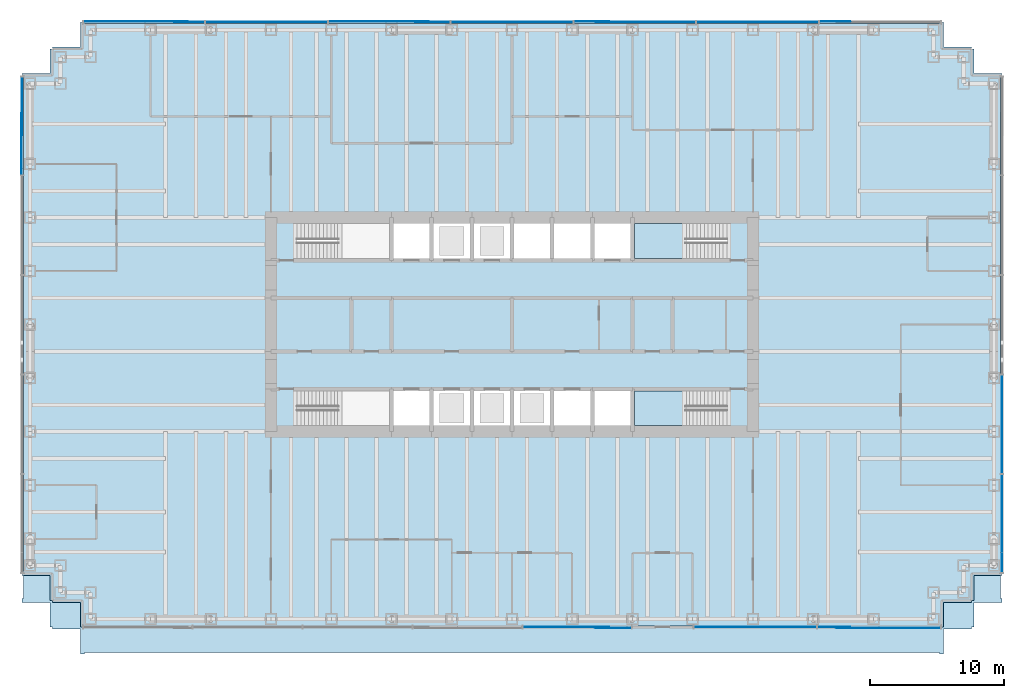
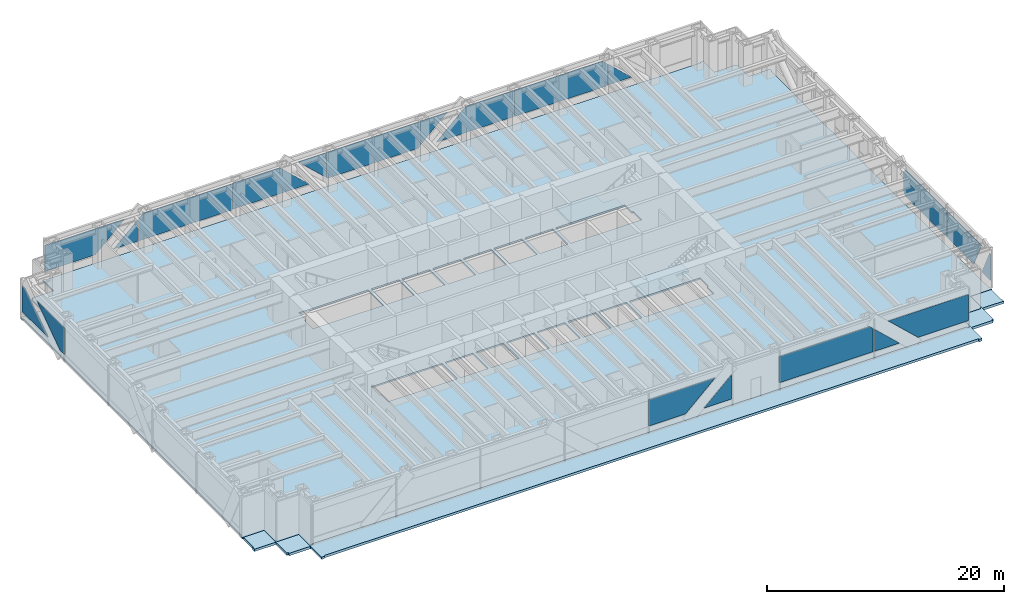
# One storey, part 7 of 14: 20 plates, 4 slabs, 7 elements without a shape of their own.
"""IFC4 building model written with IfcOpenShell, lengths in metres."""

from ifc_helpers import new_model, si_unit, direction, frame, origin, place, context, subcontext, project, spatial, polyline, outline, extrude, material, layer, layer_set, type_object, element, aggregate, save


model = new_model("IFC4")

# Units and contexts
model_context = context("Model", 3, precision=1e-05, world=origin(), true_north=direction((0.0, 1.0)))
body_context = subcontext(model_context, "Body", "Model", "MODEL_VIEW")
ifc_project = project(units=[si_unit("LENGTHUNIT", "METRE"), si_unit("AREAUNIT", "SQUARE_METRE"), si_unit("VOLUMEUNIT", "CUBIC_METRE"), si_unit("PLANEANGLEUNIT", "RADIAN"), si_unit("MASSUNIT", "GRAM", prefix="KILO")], contexts=[model_context])

# Site, building, storey
site_placement = place(None, origin())
site = spatial("IfcSite", under=ifc_project, at=site_placement, CompositionType="ELEMENT")
building_placement = place(site_placement, origin())
building = spatial("IfcBuilding", under=site, at=building_placement, Name="Rheinbord Bourse Tower", CompositionType="ELEMENT")
storey_placement = place(building_placement, frame((0.0, 0.0, 100.5)))
storey = spatial("IfcBuildingStorey", under=building, at=storey_placement, Name="L21", CompositionType="ELEMENT", Elevation=100.5)

# Slab
ifc_material_1 = material(Name="Concrete C30/37", Category="concrete")
ifc_layer_1 = layer(ifc_material_1, 0.159912109375)
ifc_layer_set_1 = layer_set([ifc_layer_1], Name="COMPOSITE FLOOR SLAB 160")
slab_type_1 = type_object("IfcSlabType", Name="COMPOSITE FLOOR SLAB 160", PredefinedType="FLOOR", material=ifc_layer_set_1)
slab_1_placement = place(storey_placement, frame((0.0, 0.0, -0.159912109375)))
element("IfcSlab", 1, at=slab_1_placement, inside=storey, type_object=slab_type_1, Name="Floor slab L21", PredefinedType="FLOOR", context=body_context, shape_type="SweptSolid", body=[
    extrude(outline(polyline([(1.64990234375, 3.39990234375), (1.5, 3.39990234375), (1.5, 5.25), (-0.60009765625, 5.25), (-0.60009765625, 5.550048828125), (-0.5, 5.550048828125), (-0.5, 42.449951171875), (-0.60009765625, 42.449951171875), (-0.60009765625, 42.75), (1.5, 42.75), (1.5, 44.60009765625), (1.64990234375, 44.60009765625), (1.64990234375, 44.75), (3.75, 44.75), (3.75, 46.60009765625), (4.050048828125, 46.60009765625), (4.050048828125, 46.5), (67.949951171875, 46.5), (67.949951171875, 46.60009765625), (68.25, 46.60009765625), (68.25, 44.75), (70.35009765625, 44.75), (70.35009765625, 44.60009765625), (70.5, 44.60009765625), (70.5, 42.75), (72.60009765625, 42.75), (72.60009765625, 42.449951171875), (72.5, 42.449951171875), (72.5, 5.550048828125), (72.60009765625, 5.550048828125), (72.60009765625, 5.25), (70.5, 5.25), (70.5, 3.39990234375), (70.35009765625, 3.39990234375), (70.35009765625, 3.25), (68.25, 3.25), (68.25, 1.39990234375), (67.949951171875, 1.39990234375), (67.949951171875, 1.5), (4.050048828125, 1.5), (4.050048828125, 1.39990234375), (3.75, 1.39990234375), (3.75, 3.25), (1.64990234375, 3.25), (1.64990234375, 3.39990234375)]), holes=[polyline([(19.949951171875, 19.050048828125), (26.85009765625, 19.050048828125), (26.85009765625, 16.449951171875), (20.10009765625, 16.449951171875), (20.10009765625, 17.64990234375), (19.949951171875, 17.64990234375), (19.949951171875, 19.050048828125)]), polyline([(26.85009765625, 31.550048828125), (26.85009765625, 28.949951171875), (19.949951171875, 28.949951171875), (19.949951171875, 30.35009765625), (20.10009765625, 30.35009765625), (20.10009765625, 31.550048828125), (26.85009765625, 31.550048828125)]), polyline([(45.14990234375, 16.449951171875), (45.14990234375, 19.050048828125), (52.050048828125, 19.050048828125), (52.050048828125, 17.64990234375), (51.89990234375, 17.64990234375), (51.89990234375, 16.449951171875), (45.14990234375, 16.449951171875)]), polyline([(52.050048828125, 28.949951171875), (45.14990234375, 28.949951171875), (45.14990234375, 31.550048828125), (51.89990234375, 31.550048828125), (51.89990234375, 30.35009765625), (52.050048828125, 30.35009765625), (52.050048828125, 28.949951171875)]), polyline([(27.14990234375, 16.449951171875), (27.14990234375, 19.050048828125), (29.85009765625, 19.050048828125), (29.85009765625, 16.449951171875), (27.14990234375, 16.449951171875)]), polyline([(27.14990234375, 28.949951171875), (27.14990234375, 31.550048828125), (29.85009765625, 31.550048828125), (29.85009765625, 28.949951171875), (27.14990234375, 28.949951171875)]), polyline([(30.14990234375, 16.449951171875), (30.14990234375, 19.050048828125), (32.85009765625, 19.050048828125), (32.85009765625, 16.449951171875), (30.14990234375, 16.449951171875)]), polyline([(30.14990234375, 28.949951171875), (30.14990234375, 31.550048828125), (32.85009765625, 31.550048828125), (32.85009765625, 28.949951171875), (30.14990234375, 28.949951171875)]), polyline([(33.14990234375, 16.449951171875), (33.14990234375, 19.050048828125), (35.85009765625, 19.050048828125), (35.85009765625, 16.449951171875), (33.14990234375, 16.449951171875)]), polyline([(33.14990234375, 28.949951171875), (33.14990234375, 31.550048828125), (35.85009765625, 31.550048828125), (35.85009765625, 28.949951171875), (33.14990234375, 28.949951171875)]), polyline([(36.14990234375, 16.449951171875), (36.14990234375, 19.050048828125), (38.85009765625, 19.050048828125), (38.85009765625, 16.449951171875), (36.14990234375, 16.449951171875)]), polyline([(36.14990234375, 28.949951171875), (36.14990234375, 31.550048828125), (38.85009765625, 31.550048828125), (38.85009765625, 28.949951171875), (36.14990234375, 28.949951171875)]), polyline([(39.14990234375, 16.449951171875), (39.14990234375, 19.050048828125), (41.85009765625, 19.050048828125), (41.85009765625, 16.449951171875), (39.14990234375, 16.449951171875)]), polyline([(39.14990234375, 28.949951171875), (39.14990234375, 31.550048828125), (41.85009765625, 31.550048828125), (41.85009765625, 28.949951171875), (39.14990234375, 28.949951171875)]), polyline([(42.14990234375, 16.449951171875), (42.14990234375, 19.050048828125), (44.85009765625, 19.050048828125), (44.85009765625, 16.449951171875), (42.14990234375, 16.449951171875)]), polyline([(42.14990234375, 28.949951171875), (42.14990234375, 31.550048828125), (44.85009765625, 31.550048828125), (44.85009765625, 28.949951171875), (42.14990234375, 28.949951171875)])]), origin(), (0.0, 0.0, 1.0), 0.159912109375),
])

# Curtain wall, plates
ifc_material_2 = material(Name="Dark glass and black aluminium", Category="aluminium")
curtain_wall_type = type_object("IfcCurtainWallType", Name="CW6 DARK GLASS CURTAIN WALL", PredefinedType="USERDEFINED", material=ifc_material_2)
curtain_wall_1_placement = place(storey_placement, origin())
curtain_wall_1 = element("IfcCurtainWall", 2, at=curtain_wall_1_placement, inside=storey, type_object=curtain_wall_type, Name="Curtain wall CW6 S L21", ObjectType="UNITISED CURTAIN WALL", PredefinedType="USERDEFINED")
ifc_material_3 = material(Name="Dark tinted triple insulating glass", Category="glass")
ifc_layer_2 = layer(ifc_material_3, 0.050048828125)
ifc_layer_set_2 = layer_set([ifc_layer_2], Name="CW6 DARK GLASS PANEL")
plate_type = type_object("IfcPlateType", Name="CW6 DARK GLASS PANEL", PredefinedType="CURTAIN_PANEL", material=ifc_layer_set_2)
plate_1_placement = place(storey_placement, frame((36.830078125, 1.375, 0.75), z_axis=(0.0, 1.0, 0.0), x_axis=(0.0, 0.0, 1.0)))
plate_1 = element("IfcPlate", 3, at=plate_1_placement, type_object=plate_type, Name="CW6 glass facet 1", PredefinedType="CURTAIN_PANEL", context=body_context, shape_type="SweptSolid", body=[
    extrude(outline(polyline([(0.0, 0.0), (2.699951171875, 0.0), (2.699951171875, 6.47998046875), (0.0, 3.5869140625), (0.0, 0.0)])), origin(), (0.0, 0.0, 1.0), 0.050048828125),
])
plate_2_placement = place(storey_placement, frame((44.89990234375, 1.31982421875, 0.75), z_axis=(0.0, 1.0, 0.0), x_axis=(-1.0, 0.0, 0.0)))
plate_2 = element("IfcPlate", 4, at=plate_2_placement, type_object=plate_type, Name="CW6 glass facet 2", PredefinedType="CURTAIN_PANEL", context=body_context, shape_type="SweptSolid", body=[
    extrude(outline(polyline([(0.0, 0.0), (2.7099609375, 0.0), (0.0, 2.529052734375), (0.0, 0.0)])), origin(), (0.0, 0.0, 1.0), 0.050048828125),
])
aggregate(curtain_wall_1, [plate_1, plate_2])

curtain_wall_2_placement = place(storey_placement, origin())
curtain_wall_2 = element("IfcCurtainWall", 5, at=curtain_wall_2_placement, inside=storey, type_object=curtain_wall_type, Name="Curtain wall CW6 S L21", ObjectType="UNITISED CURTAIN WALL", PredefinedType="USERDEFINED")
plate_3_placement = place(storey_placement, frame((58.75, 1.375, 0.75), z_axis=(0.0, 1.0, 0.0), x_axis=(-1.0, 0.0, 0.0)))
plate_3 = element("IfcPlate", 6, at=plate_3_placement, type_object=plate_type, Name="CW6 glass facet 1", PredefinedType="CURTAIN_PANEL", context=body_context, shape_type="SweptSolid", body=[
    extrude(outline(polyline([(0.0, 0.0), (9.14990234375, 0.0), (9.14990234375, 2.699951171875), (0.3330078125, 2.699951171875), (0.0, 2.388916015625), (0.0, 0.0)])), origin(), (0.0, 0.0, 1.0), 0.050048828125),
])
plate_4_placement = place(storey_placement, frame((58.85009765625, 1.375, 0.75), z_axis=(0.0, 1.0, 0.0), x_axis=(0.0, 0.0, 1.0)))
plate_4 = element("IfcPlate", 7, at=plate_4_placement, type_object=plate_type, Name="CW6 glass facet 1", PredefinedType="CURTAIN_PANEL", context=body_context, shape_type="SweptSolid", body=[
    extrude(outline(polyline([(0.0, 0.0), (2.2958984375, 0.0), (0.0, 2.4599609375), (0.0, 0.0)])), origin(), (0.0, 0.0, 1.0), 0.050048828125),
])
plate_5_placement = place(storey_placement, frame((68.0, 1.31982421875, 3.449951171875), z_axis=(0.0, 1.0, 0.0), x_axis=(0.0, 0.0, -1.0)))
plate_5 = element("IfcPlate", 8, at=plate_5_placement, type_object=plate_type, Name="CW6 glass facet 2", PredefinedType="CURTAIN_PANEL", context=body_context, shape_type="SweptSolid", body=[
    extrude(outline(polyline([(0.0, 0.0), (2.699951171875, 0.0), (2.699951171875, 4.9169921875), (0.0, 7.81005859375), (0.0, 0.0)])), origin(), (0.0, 0.0, 1.0), 0.050048828125),
])
aggregate(curtain_wall_2, [plate_3, plate_4, plate_5])

curtain_wall_3_placement = place(storey_placement, origin())
curtain_wall_3 = element("IfcCurtainWall", 9, at=curtain_wall_3_placement, inside=storey, type_object=curtain_wall_type, Name="Curtain wall CW6 E L21", ObjectType="UNITISED CURTAIN WALL", PredefinedType="USERDEFINED")
plate_6_placement = place(storey_placement, frame((72.625, 5.5, 0.75), z_axis=(-1.0, 0.0, 0.0), x_axis=(0.0, 0.0, 1.0)))
plate_6 = element("IfcPlate", 10, at=plate_6_placement, type_object=plate_type, Name="CW6 glass facet 1", PredefinedType="CURTAIN_PANEL", context=body_context, shape_type="SweptSolid", body=[
    extrude(outline(polyline([(0.0, 0.0), (2.699951171875, 0.0), (2.699951171875, 0.18701171875), (0.0, 1.472900390625), (0.0, 0.0)])), origin(), (0.0, 0.0, 1.0), 0.050048828125),
])
plate_7_placement = place(storey_placement, frame((72.625, 12.7900390625, 3.449951171875), z_axis=(-1.0, 0.0, 0.0), x_axis=(0.0, 0.0, -1.0)))
plate_7 = element("IfcPlate", 11, at=plate_7_placement, type_object=plate_type, Name="CW6 glass facet 2", PredefinedType="CURTAIN_PANEL", context=body_context, shape_type="SweptSolid", body=[
    extrude(outline(polyline([(0.0, 0.0), (2.699951171875, 0.0), (2.699951171875, 4.47705078125), (0.0, 5.762939453125), (0.0, 0.0)])), origin(), (0.0, 0.0, 1.0), 0.050048828125),
])
plate_8_placement = place(storey_placement, frame((72.625, 12.889892578125, 0.75), z_axis=(-1.0, 0.0, 0.0), x_axis=(0.0, 0.0, 1.0)))
plate_8 = element("IfcPlate", 12, at=plate_8_placement, type_object=plate_type, Name="CW6 glass facet 1", PredefinedType="CURTAIN_PANEL", context=body_context, shape_type="SweptSolid", body=[
    extrude(outline(polyline([(0.0, 0.0), (2.699951171875, 0.0), (2.699951171875, 6.989013671875), (2.3310546875, 7.340087890625), (0.368896484375, 7.340087890625), (0.0, 6.989013671875), (0.0, 0.0)])), origin(), (0.0, 0.0, 1.0), 0.050048828125),
])
aggregate(curtain_wall_3, [plate_6, plate_7, plate_8])

curtain_wall_4_placement = place(storey_placement, origin())
curtain_wall_4 = element("IfcCurtainWall", 13, at=curtain_wall_4_placement, inside=storey, type_object=curtain_wall_type, Name="Curtain wall CW6 N L21", ObjectType="UNITISED CURTAIN WALL", PredefinedType="USERDEFINED")
plate_9_placement = place(storey_placement, frame((58.97900390625, 46.68017578125, 0.75), z_axis=(0.0, -1.0, 0.0), x_axis=(1.0, 0.0, 0.0)))
plate_9 = element("IfcPlate", 14, at=plate_9_placement, type_object=plate_type, Name="CW6 glass facet 2", PredefinedType="CURTAIN_PANEL", context=body_context, shape_type="SweptSolid", body=[
    extrude(outline(polyline([(0.0, 0.0), (2.3310546875, 0.0), (0.0, 2.176025390625), (0.0, 0.0)])), origin(), (0.0, 0.0, 1.0), 0.050048828125),
])
plate_10_placement = place(storey_placement, frame((49.806884765625, 46.625, 3.449951171875), z_axis=(0.0, -1.0, 0.0), x_axis=(0.0, 0.0, -1.0)))
plate_10 = element("IfcPlate", 15, at=plate_10_placement, type_object=plate_type, Name="CW6 glass facet 1", PredefinedType="CURTAIN_PANEL", context=body_context, shape_type="SweptSolid", body=[
    extrude(outline(polyline([(0.0, 0.0), (2.699951171875, 0.0), (2.699951171875, 9.072021484375), (0.430908203125, 9.072021484375), (0.0, 8.610107421875), (0.0, 0.0)])), origin(), (0.0, 0.0, 1.0), 0.050048828125),
])
plate_11_placement = place(storey_placement, frame((49.70703125, 46.625, 0.75), z_axis=(0.0, -1.0, 0.0), x_axis=(0.0, 0.0, 1.0)))
plate_11 = element("IfcPlate", 16, at=plate_11_placement, type_object=plate_type, Name="CW6 glass facet 1", PredefinedType="CURTAIN_PANEL", context=body_context, shape_type="SweptSolid", body=[
    extrude(outline(polyline([(0.0, 0.0), (2.699951171875, 0.0), (2.699951171875, 4.6240234375), (0.0, 7.51708984375), (0.0, 0.0)])), origin(), (0.0, 0.0, 1.0), 0.050048828125),
])
plate_12_placement = place(storey_placement, frame((40.635986328125, 46.68017578125, 3.449951171875), z_axis=(0.0, -1.0, 0.0), x_axis=(0.0, 0.0, -1.0)))
plate_12 = element("IfcPlate", 17, at=plate_12_placement, type_object=plate_type, Name="CW6 glass facet 2", PredefinedType="CURTAIN_PANEL", context=body_context, shape_type="SweptSolid", body=[
    extrude(outline(polyline([(0.0, 0.0), (2.495849609375, 0.0), (0.0, 2.674072265625), (0.0, 0.0)])), origin(), (0.0, 0.0, 1.0), 0.050048828125),
])
plate_13_placement = place(storey_placement, frame((40.4169921875, 46.625, 0.75), z_axis=(0.0, -1.0, 0.0), x_axis=(0.7307059054, 0.0, 0.682692375682)))
plate_13 = element("IfcPlate", 18, at=plate_13_placement, type_object=plate_type, Name="CW6 glass facet 1", PredefinedType="CURTAIN_PANEL", context=body_context, shape_type="SweptSolid", body=[
    extrude(outline(polyline([(0.0, 0.0), (0.16259765625, 0.0), (1.93017578125, 1.8916015625), (-4.69873046875, 8.0849609375), (-6.466064453125, 6.193115234375), (-6.455078125, 6.031005859375), (0.0, 0.0)])), origin(), (0.0, 0.0, 1.0), 0.050048828125),
])
plate_14_placement = place(storey_placement, frame((31.364013671875, 46.625, 3.449951171875), z_axis=(0.0, -1.0, 0.0), x_axis=(-1.0, 0.0, 0.0)))
plate_14 = element("IfcPlate", 19, at=plate_14_placement, type_object=plate_type, Name="CW6 glass facet 1", PredefinedType="CURTAIN_PANEL", context=body_context, shape_type="SweptSolid", body=[
    extrude(outline(polyline([(0.0, 0.0), (2.674072265625, 0.0), (0.0, 2.495849609375), (0.0, 0.0)])), origin(), (0.0, 0.0, 1.0), 0.050048828125),
])
plate_15_placement = place(storey_placement, frame((22.29296875, 46.68017578125, 3.449951171875), z_axis=(0.0, -1.0, 0.0), x_axis=(0.0, 0.0, -1.0)))
plate_15 = element("IfcPlate", 20, at=plate_15_placement, type_object=plate_type, Name="CW6 glass facet 2", PredefinedType="CURTAIN_PANEL", context=body_context, shape_type="SweptSolid", body=[
    extrude(outline(polyline([(0.0, 0.0), (2.699951171875, 0.0), (2.699951171875, 7.51708984375), (0.0, 4.6240234375), (0.0, 0.0)])), origin(), (0.0, 0.0, 1.0), 0.050048828125),
])
plate_16_placement = place(storey_placement, frame((13.12109375, 46.625, 0.75), z_axis=(0.0, -1.0, 0.0), x_axis=(1.0, 0.0, 0.0)))
plate_16 = element("IfcPlate", 21, at=plate_16_placement, type_object=plate_type, Name="CW6 glass facet 1", PredefinedType="CURTAIN_PANEL", context=body_context, shape_type="SweptSolid", body=[
    extrude(outline(polyline([(0.0, 0.0), (9.072021484375, 0.0), (9.072021484375, 2.699951171875), (0.4619140625, 2.699951171875), (0.0, 2.26904296875), (0.0, 0.0)])), origin(), (0.0, 0.0, 1.0), 0.050048828125),
])
plate_17_placement = place(storey_placement, frame((13.02099609375, 46.625, 0.75), z_axis=(0.0, -1.0, 0.0), x_axis=(0.0, 0.0, 1.0)))
plate_17 = element("IfcPlate", 22, at=plate_17_placement, type_object=plate_type, Name="CW6 glass facet 1", PredefinedType="CURTAIN_PANEL", context=body_context, shape_type="SweptSolid", body=[
    extrude(outline(polyline([(0.0, 0.0), (2.176025390625, 0.0), (0.0, 2.3310546875), (0.0, 0.0)])), origin(), (0.0, 0.0, 1.0), 0.050048828125),
])
plate_18_placement = place(storey_placement, frame((4.0, 46.68017578125, 3.449951171875), z_axis=(0.0, -1.0, 0.0), x_axis=(0.0, 0.0, -1.0)))
plate_18 = element("IfcPlate", 23, at=plate_18_placement, type_object=plate_type, Name="CW6 glass facet 2", PredefinedType="CURTAIN_PANEL", context=body_context, shape_type="SweptSolid", body=[
    extrude(outline(polyline([(0.0, 0.0), (2.699951171875, 0.0), (2.699951171875, 4.9169921875), (0.0, 7.81005859375), (0.0, 0.0)])), origin(), (0.0, 0.0, 1.0), 0.050048828125),
])
aggregate(curtain_wall_4, [plate_9, plate_10, plate_11, plate_12, plate_13, plate_14, plate_15, plate_16, plate_17, plate_18])

curtain_wall_5_placement = place(storey_placement, origin())
curtain_wall_5 = element("IfcCurtainWall", 24, at=curtain_wall_5_placement, inside=storey, type_object=curtain_wall_type, Name="Curtain wall CW6 W L21", ObjectType="UNITISED CURTAIN WALL", PredefinedType="USERDEFINED")
plate_19_placement = place(storey_placement, frame((-0.625, 42.5, 0.75), z_axis=(1.0, 0.0, 0.0), x_axis=(0.0, 0.0, 1.0)))
plate_19 = element("IfcPlate", 25, at=plate_19_placement, type_object=plate_type, Name="CW6 glass facet 1", PredefinedType="CURTAIN_PANEL", context=body_context, shape_type="SweptSolid", body=[
    extrude(outline(polyline([(0.0, 0.0), (2.699951171875, 0.0), (2.699951171875, 0.51611328125), (0.0, 4.3740234375), (0.0, 0.0)])), origin(), (0.0, 0.0, 1.0), 0.050048828125),
])
plate_20_placement = place(storey_placement, frame((-0.68017578125, 35.2099609375, 3.449951171875), z_axis=(1.0, 0.0, 0.0), x_axis=(0.0, 0.0, -1.0)))
plate_20 = element("IfcPlate", 26, at=plate_20_placement, type_object=plate_type, Name="CW6 glass facet 2", PredefinedType="CURTAIN_PANEL", context=body_context, shape_type="SweptSolid", body=[
    extrude(outline(polyline([(0.0, 0.0), (2.699951171875, 0.0), (2.699951171875, 0.80615234375), (0.0, 4.6640625), (0.0, 0.0)])), origin(), (0.0, 0.0, 1.0), 0.050048828125),
])
aggregate(curtain_wall_5, [plate_19, plate_20])

# Slab
ifc_material_4 = material(Name="Concrete C30/37", Category="concrete")
ifc_layer_3 = layer(ifc_material_4, 0.25)
ifc_layer_set_3 = layer_set([ifc_layer_3], Name="ROOF SLAB 250")
slab_type_2 = type_object("IfcSlabType", Name="ROOF SLAB 250", PredefinedType="ROOF", material=ifc_layer_set_3)
slab_2_placement = place(storey_placement, frame((0.0, 0.0, -0.25)))
element("IfcSlab", 27, at=slab_2_placement, inside=storey, type_object=slab_type_2, Name="Setback roof L20 part 1 (maintenance access only)", PredefinedType="ROOF", context=body_context, shape_type="SweptSolid", body=[
    extrude(outline(polyline([(1.5, 1.39990234375), (1.5, 3.25), (-0.60009765625, 3.25), (-0.60009765625, 3.550048828125), (-0.5, 3.550048828125), (-0.5, 5.25), (1.5, 5.25), (1.5, 3.39990234375), (1.64990234375, 3.39990234375), (1.64990234375, 3.25), (3.75, 3.25), (3.75, 1.39990234375), (3.89990234375, 1.39990234375), (4.0, 1.39990234375), (4.050048828125, 1.39990234375), (4.050048828125, 1.5), (67.949951171875, 1.5), (67.949951171875, 1.39990234375), (68.0, 1.39990234375), (68.10009765625, 1.39990234375), (68.25, 1.39990234375), (68.25, 3.25), (70.35009765625, 3.25), (70.35009765625, 3.39990234375), (70.5, 3.39990234375), (70.5, 5.25), (72.5, 5.25), (72.5, 3.550048828125), (72.60009765625, 3.550048828125), (72.60009765625, 3.25), (70.5, 3.25), (70.5, 1.39990234375), (70.35009765625, 1.39990234375), (70.35009765625, 1.25), (68.25, 1.25), (68.25, -0.60009765625), (67.949951171875, -0.60009765625), (67.949951171875, -0.5), (4.050048828125, -0.5), (4.050048828125, -0.60009765625), (3.75, -0.60009765625), (3.75, 1.25), (1.64990234375, 1.25), (1.64990234375, 1.39990234375), (1.5, 1.39990234375)])), origin(), (0.0, 0.0, 1.0), 0.25),
])

# Stair, slab
ifc_material_5 = material(Name="Concrete C30/37", Category="concrete")
stair_type = type_object("IfcStairType", Name="CORE STAIR HALF TURN 4200", PredefinedType="HALF_TURN_STAIR", material=ifc_material_5)
stair_1_placement = place(storey_placement, origin())
stair_1 = element("IfcStair", 28, at=stair_1_placement, inside=storey, type_object=stair_type, Name="Stair ST3 L21, type CS6", PredefinedType="HALF_TURN_STAIR")
ifc_material_6 = material(Name="Concrete C30/37", Category="concrete")
ifc_layer_4 = layer(ifc_material_6, 0.199951171875)
ifc_layer_set_4 = layer_set([ifc_layer_4], Name="STAIR LANDING 200")
slab_type_3 = type_object("IfcSlabType", Name="STAIR LANDING 200", PredefinedType="LANDING", material=ifc_layer_set_4)
slab_3_placement = place(storey_placement, frame((0.0, 0.0, 1.89990234375)))
slab_3 = element("IfcSlab", 29, at=slab_3_placement, type_object=slab_type_3, Name="Half landing ST3 L21", PredefinedType="LANDING", context=body_context, shape_type="SweptSolid", body=[
    extrude(outline(polyline([(45.14990234375, 16.449951171875), (48.969970703125, 16.449951171875), (48.969970703125, 17.85009765625), (50.251953125, 17.85009765625), (50.251953125, 19.050048828125), (45.14990234375, 19.050048828125), (45.14990234375, 16.449951171875)])), origin(), (0.0, 0.0, 1.0), 0.2001953125),
])
aggregate(stair_1, [slab_3])

stair_2_placement = place(storey_placement, origin())
stair_2 = element("IfcStair", 30, at=stair_2_placement, inside=storey, type_object=stair_type, Name="Stair ST4 L21, type CS6", PredefinedType="HALF_TURN_STAIR")
slab_4_placement = place(storey_placement, frame((0.0, 0.0, 1.89990234375)))
slab_4 = element("IfcSlab", 31, at=slab_4_placement, type_object=slab_type_3, Name="Half landing ST4 L21", PredefinedType="LANDING", context=body_context, shape_type="SweptSolid", body=[
    extrude(outline(polyline([(45.14990234375, 28.949951171875), (50.251953125, 28.949951171875), (50.251953125, 30.14990234375), (48.969970703125, 30.14990234375), (48.969970703125, 31.550048828125), (45.14990234375, 31.550048828125), (45.14990234375, 28.949951171875)])), origin(), (0.0, 0.0, 1.0), 0.2001953125),
])
aggregate(stair_2, [slab_4])

save(model, "model.ifc")
